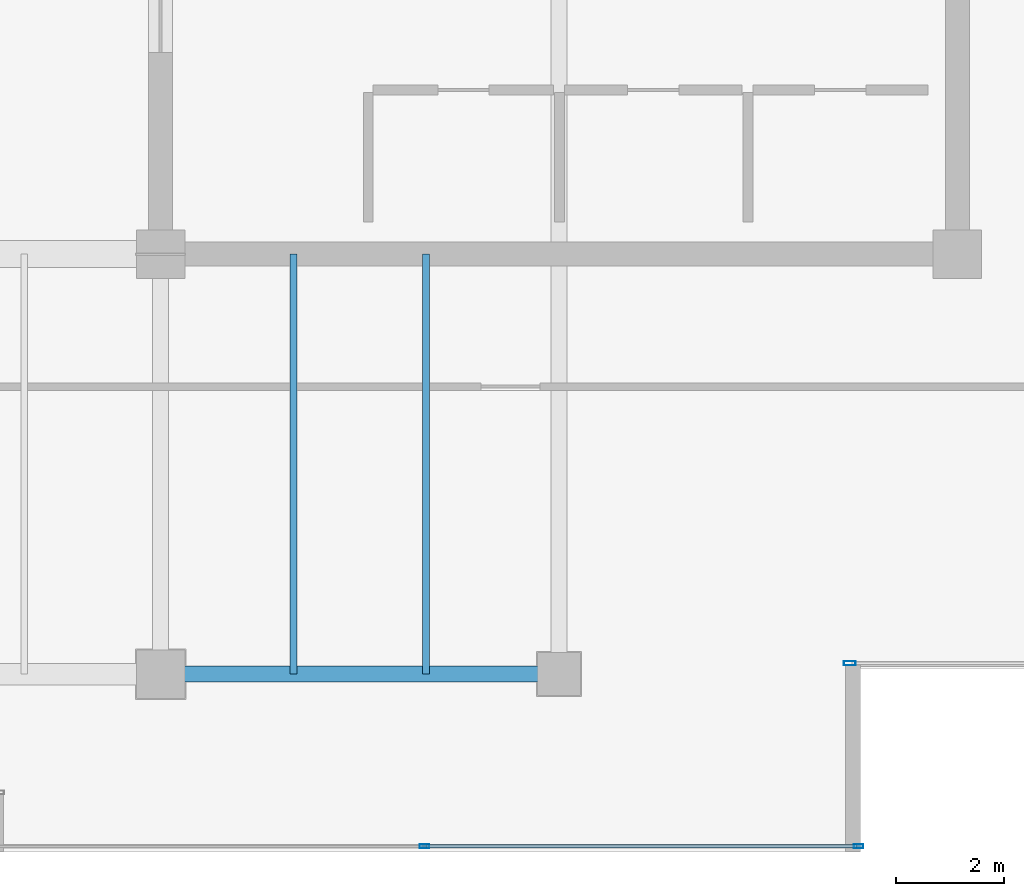
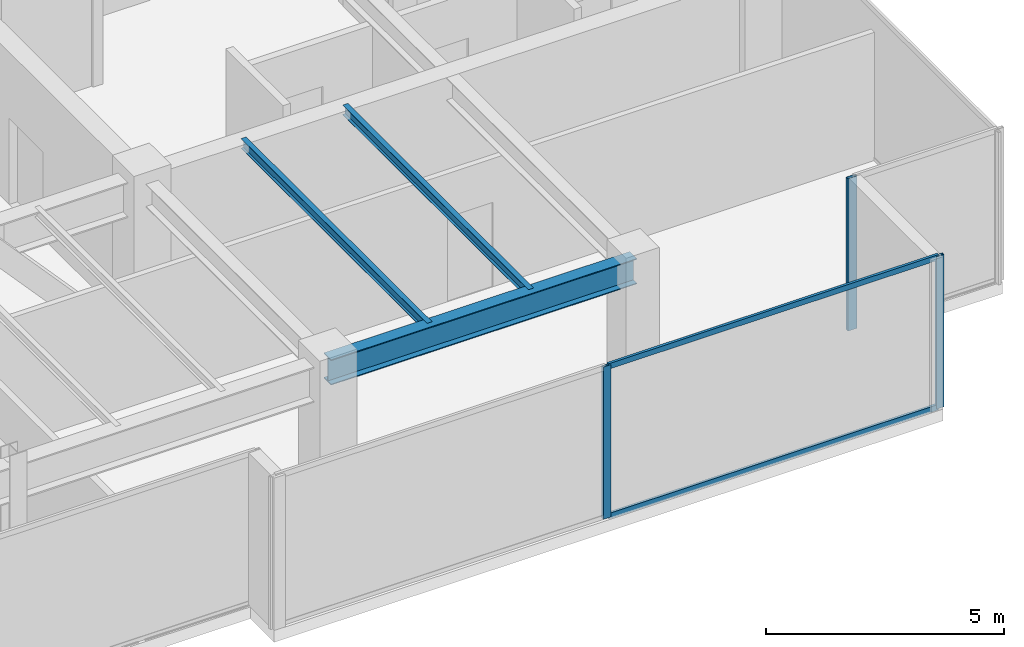
# One storey, part 13 of 32: 5 members, 3 beams, 2 elements without a shape of their own.
"""IFC4 building model written with IfcOpenShell, lengths in metres."""

from ifc_helpers import new_model, si_unit, direction, frame, origin, origin_2d, place, context, subcontext, project, spatial, hollow_rectangle, i_section, extrude, source, transform, mapped, material, layer, layer_set, material_profile, profile_set, type_object, type_shapes, element, aggregate, save


model = new_model("IFC4")

# Units and contexts
model_context = context("Model", 3, precision=1e-05, world=origin(), true_north=direction((0.0, 1.0)))
body_context = subcontext(model_context, "Body", "Model", "MODEL_VIEW")
ifc_project = project(units=[si_unit("LENGTHUNIT", "METRE"), si_unit("AREAUNIT", "SQUARE_METRE"), si_unit("VOLUMEUNIT", "CUBIC_METRE"), si_unit("PLANEANGLEUNIT", "RADIAN"), si_unit("MASSUNIT", "GRAM", prefix="KILO")], contexts=[model_context])

# Site, building, storey
site_placement = place(None, origin())
site = spatial("IfcSite", under=ifc_project, at=site_placement, CompositionType="ELEMENT")
building_placement = place(site_placement, origin())
building = spatial("IfcBuilding", under=site, at=building_placement, Name="Haelvirn Gate Laboratories", CompositionType="ELEMENT")
storey_placement = place(building_placement, frame((0.0, 0.0, 314.39990234375)))
storey = spatial("IfcBuildingStorey", under=building, at=storey_placement, Name="L75", CompositionType="ELEMENT", Elevation=314.39990234375)

# Beams
ifc_material_1 = material(Name="Steel SM355", Category="steel")
ifc_material_profile_1 = material_profile(ifc_material_1, i_section(OverallWidth=0.300048828125, OverallDepth=0.64990234375, WebThickness=0.012939453125, FlangeThickness=0.02197265625, at=origin_2d()), Name="H-650x300x13x22")
ifc_profile_set_1 = profile_set([ifc_material_profile_1], Name="Steel SM355")
beam_type_1 = type_object("IfcBeamType", Name="BM-G-650", PredefinedType="BEAM", material=ifc_profile_set_1)
shared_shape_1 = source(origin(), body_context, "Body", "SweptSolid", [
    extrude(i_section(OverallWidth=0.300048828125, OverallDepth=0.64990234375, WebThickness=0.012939453125, FlangeThickness=0.02197265625, at=origin_2d()), origin(), (0.0, 0.0, 1.0), 7.39990234375),
])
type_shapes(beam_type_1, [shared_shape_1])
beam_placement = place(storey_placement, frame((52.60009765625, 7.0, 3.5751953125), z_axis=(1.0, 0.0, 0.0), x_axis=(0.0, 1.0, 0.0)))
element("IfcBeam", 1, at=beam_placement, inside=storey, type_object=beam_type_1, Name="L75 Primary Girder Y7.0 (52.6-60.0)", PredefinedType="BEAM", context=body_context, shape_type="MappedRepresentation", body=[
    mapped(shared_shape_1, transform((0.0, 0.0, 0.0), scale=1.0)),
])
ifc_material_profile_2 = material_profile(ifc_material_1, i_section(OverallWidth=0.125, OverallDepth=0.25, WebThickness=0.006103515625, FlangeThickness=0.009033203125, at=origin_2d()), Name="H-250x125x6x9")
ifc_profile_set_2 = profile_set([ifc_material_profile_2], Name="Steel SM355")
beam_type_2 = type_object("IfcBeamType", Name="BM-J-250", PredefinedType="JOIST", material=ifc_profile_set_2)
shared_shape_2 = source(origin(), body_context, "Body", "SweptSolid", [
    extrude(i_section(OverallWidth=0.125, OverallDepth=0.25, WebThickness=0.006103515625, FlangeThickness=0.009033203125, at=origin_2d()), origin(), (0.0, 0.0, 1.0), 7.800048828125),
])
type_shapes(beam_type_2, [shared_shape_2])
for number, where, z_axis, x_axis, name in (
    (2, (55.070068359375, 7.0, 3.775146484375), (0.0, 1.0, 0.0), (-1.0, 0.0, 0.0), "L75 Composite Lab Joist South X55.07"),
    (3, (57.530029296875, 7.0, 3.775146484375), (0.0, 1.0, 0.0), (-1.0, 0.0, 0.0), "L75 Composite Lab Joist South X57.53"),
):
    element("IfcBeam", number, at=place(storey_placement, frame(where, z_axis=z_axis, x_axis=x_axis)), inside=storey, type_object=beam_type_2, Name=name, PredefinedType="JOIST", context=body_context, shape_type="MappedRepresentation", body=[
        mapped(shared_shape_2, transform((0.0, 0.0, 0.0), scale=1.0)),
    ])

# Curtain wall, members
ifc_material_2 = material(Name="Anodised bronze unitised aluminium & triple low-E glass", Category="aluminium")
ifc_layer_1 = layer(ifc_material_2, 0.176025390625, Name="CW-SYS-4")
ifc_layer_set_1 = layer_set([ifc_layer_1], Name="Anodised bronze unitised aluminium & triple low-E glass")
curtain_wall_type_1 = type_object("IfcCurtainWallType", Name="CW-SYS-4", PredefinedType="NOTDEFINED", material=ifc_layer_set_1)
curtain_wall_1_placement = place(storey_placement, origin())
curtain_wall_1 = element("IfcCurtainWall", 4, at=curtain_wall_1_placement, inside=storey, type_object=curtain_wall_type_1, Name="L75 Unitised Curtain Wall CW-L75-P0-E04-1", PredefinedType="NOTDEFINED")
ifc_material_3 = material(Name="Extruded aluminium 6063-T6 (anodised bronze)", Category="aluminium")
ifc_material_profile_3 = material_profile(ifc_material_3, hollow_rectangle(XDim=0.06494140625, YDim=0.139892578125, WallThickness=0.00390625, at=origin_2d()), Name="CWT-140x65x4")
ifc_profile_set_3 = profile_set([ifc_material_profile_3], Name="Extruded aluminium 6063-T6 (anodised bronze)")
member_type_1 = type_object("IfcMemberType", Name="CWT-T140", PredefinedType="USERDEFINED", material=ifc_profile_set_3)
shared_shape_3 = source(origin(), body_context, "Body", "SweptSolid", [
    extrude(hollow_rectangle(XDim=0.06494140625, YDim=0.139892578125, WallThickness=0.00390625, at=origin_2d()), origin(), (0.0, 0.0, 1.0), 7.9951171875),
])
type_shapes(member_type_1, [shared_shape_3])
member_1_placement = place(storey_placement, frame((57.534912109375, 3.800048828125, 0.03271484375), z_axis=(1.0, 0.0, 0.0), x_axis=(0.0, 1.0, 0.0)))
member_1 = element("IfcMember", 5, at=member_1_placement, type_object=member_type_1, Name="CW4 transom 2.1", ObjectType="TRANSOM", PredefinedType="USERDEFINED", context=body_context, shape_type="MappedRepresentation", body=[
    mapped(shared_shape_3, transform((0.0, 0.0, 0.0), scale=1.0)),
])
member_2_placement = place(storey_placement, frame((57.534912109375, 3.800048828125, 3.86767578125), z_axis=(1.0, 0.0, 0.0), x_axis=(0.0, 1.0, 0.0)))
member_2 = element("IfcMember", 6, at=member_2_placement, type_object=member_type_1, Name="CW4 transom 2.2", ObjectType="TRANSOM", PredefinedType="USERDEFINED", context=body_context, shape_type="MappedRepresentation", body=[
    mapped(shared_shape_3, transform((0.0, 0.0, 0.0), scale=1.0)),
])
ifc_material_profile_4 = material_profile(ifc_material_3, hollow_rectangle(XDim=0.070068359375, YDim=0.179931640625, WallThickness=0.0048828125, at=origin_2d()), Name="CWM-180x70x5")
ifc_profile_set_4 = profile_set([ifc_material_profile_4], Name="Extruded aluminium 6063-T6 (anodised bronze)")
member_type_2 = type_object("IfcMemberType", Name="CWM-T180", PredefinedType="MULLION", material=ifc_profile_set_4)
shared_shape_4 = source(origin(), body_context, "Body", "SweptSolid", [
    extrude(hollow_rectangle(XDim=0.070068359375, YDim=0.179931640625, WallThickness=0.0048828125, at=origin_2d()), origin(), (0.0, 0.0, 1.0), 3.900146484375),
])
type_shapes(member_type_2, [shared_shape_4])
member_3_placement = place(storey_placement, frame((57.5, 3.800048828125, 0.0), z_axis=(0.0, 0.0, 1.0), x_axis=(0.0, 1.0, 0.0)))
member_3 = element("IfcMember", 7, at=member_3_placement, type_object=member_type_2, Name="CW4 mullion 2", PredefinedType="MULLION", context=body_context, shape_type="MappedRepresentation", body=[
    mapped(shared_shape_4, transform((0.0, 0.0, 0.0), scale=1.0)),
])
member_4_placement = place(storey_placement, frame((65.56494140625, 3.800048828125, 0.0), z_axis=(0.0, 0.0, 1.0), x_axis=(0.0, 1.0, 0.0)))
member_4 = element("IfcMember", 8, at=member_4_placement, type_object=member_type_2, Name="CW4 mullion 3", PredefinedType="MULLION", context=body_context, shape_type="MappedRepresentation", body=[
    mapped(shared_shape_4, transform((0.0, 0.0, 0.0), scale=1.0)),
])
aggregate(curtain_wall_1, [member_3, member_4, member_1, member_2])

# Curtain wall, member
ifc_layer_2 = layer(ifc_material_2, 0.181884765625, Name="CW-SYS-5")
ifc_layer_set_2 = layer_set([ifc_layer_2], Name="Anodised bronze unitised aluminium & triple low-E glass")
curtain_wall_type_2 = type_object("IfcCurtainWallType", Name="CW-SYS-5", PredefinedType="NOTDEFINED", material=ifc_layer_set_2)
curtain_wall_2_placement = place(storey_placement, origin())
curtain_wall_2 = element("IfcCurtainWall", 9, at=curtain_wall_2_placement, inside=storey, type_object=curtain_wall_type_2, Name="L75 Unitised Curtain Wall CW-L75-P0-E06-1", PredefinedType="NOTDEFINED")
ifc_material_profile_5 = material_profile(ifc_material_3, hollow_rectangle(XDim=0.080078125, YDim=0.219970703125, WallThickness=0.006103515625, at=origin_2d()), Name="CWM-220x80x6")
ifc_profile_set_5 = profile_set([ifc_material_profile_5], Name="Extruded aluminium 6063-T6 (anodised bronze)")
member_type_3 = type_object("IfcMemberType", Name="CWM-T220", PredefinedType="MULLION", material=ifc_profile_set_5)
shared_shape_5 = source(origin(), body_context, "Body", "SweptSolid", [
    extrude(hollow_rectangle(XDim=0.080078125, YDim=0.219970703125, WallThickness=0.006103515625, at=origin_2d()), origin(), (0.0, 0.0, 1.0), 3.900146484375),
])
type_shapes(member_type_3, [shared_shape_5])
member_5_placement = place(storey_placement, frame((65.39990234375, 7.199951171875, 0.0), z_axis=(0.0, 0.0, 1.0), x_axis=(0.0, 1.0, 0.0)))
member_5 = element("IfcMember", 10, at=member_5_placement, type_object=member_type_3, Name="CW5 mullion 1", PredefinedType="MULLION", context=body_context, shape_type="MappedRepresentation", body=[
    mapped(shared_shape_5, transform((0.0, 0.0, 0.0), scale=1.0)),
])
aggregate(curtain_wall_2, [member_5])

save(model, "model.ifc")
